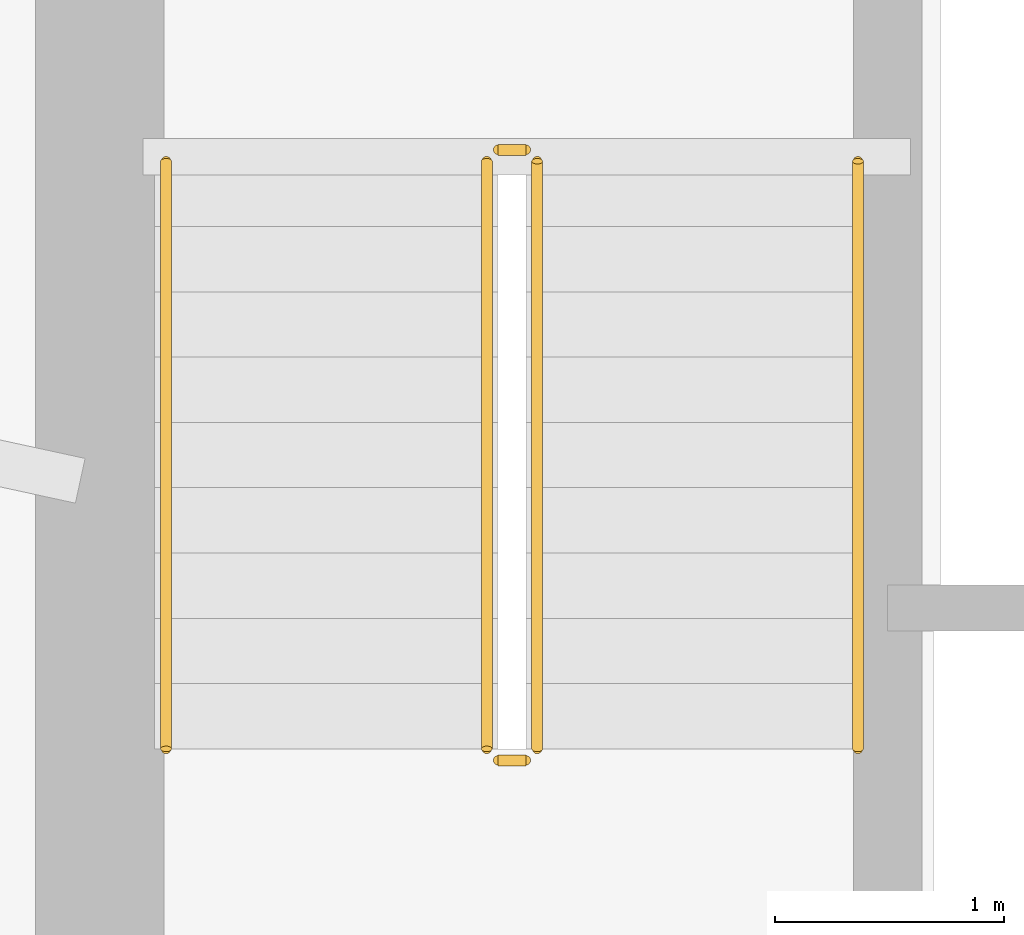
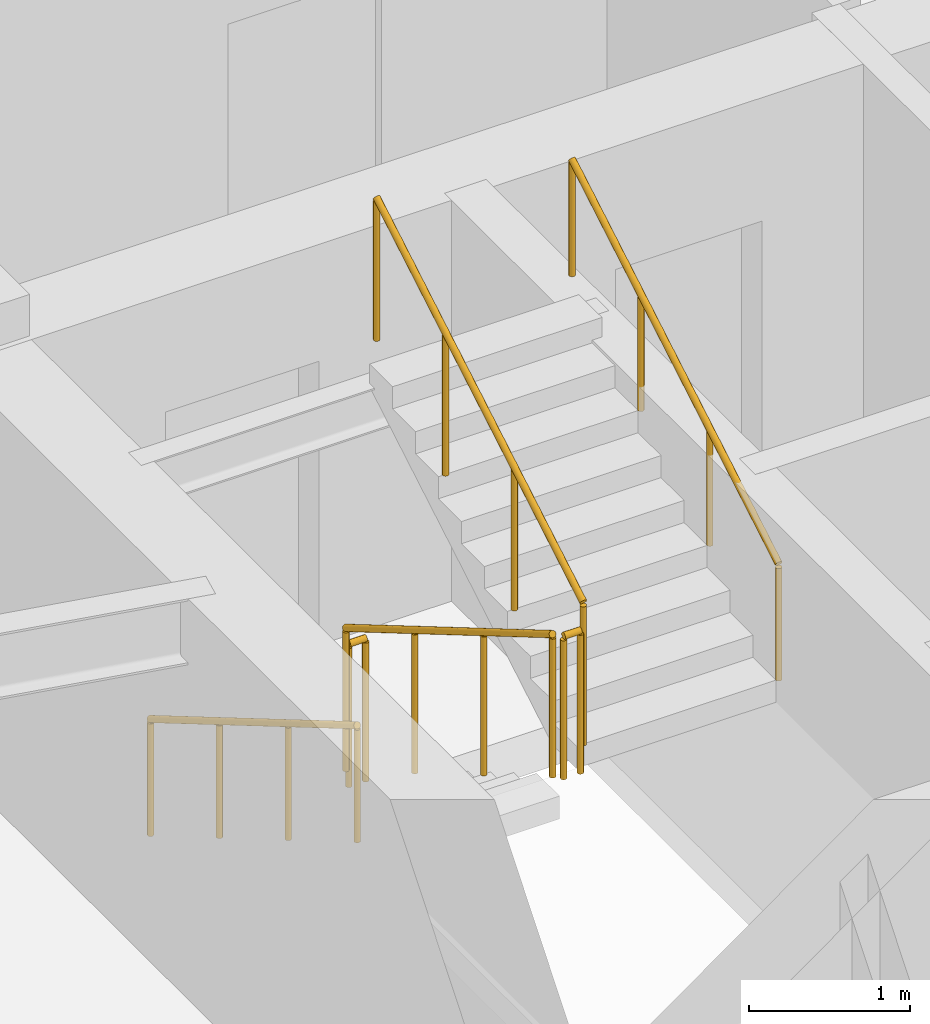
# One storey, part 20 of 21: 6 railings.
"""IFC4 building model written with IfcOpenShell, lengths in metres."""

from ifc_helpers import new_model, si_unit, direction, frame, origin, origin_2d, place, context, subcontext, project, spatial, circle, extrude, material, type_object, element, save


model = new_model("IFC4")

# Units and contexts
model_context = context("Model", 3, precision=1e-05, world=origin(), true_north=direction((0.0, 1.0)))
body_context = subcontext(model_context, "Body", "Model", "MODEL_VIEW")
ifc_project = project(units=[si_unit("LENGTHUNIT", "METRE"), si_unit("AREAUNIT", "SQUARE_METRE"), si_unit("VOLUMEUNIT", "CUBIC_METRE"), si_unit("PLANEANGLEUNIT", "RADIAN"), si_unit("MASSUNIT", "GRAM", prefix="KILO")], contexts=[model_context])

# Site, building, storey
site_placement = place(None, origin())
site = spatial("IfcSite", under=ifc_project, at=site_placement, CompositionType="ELEMENT")
building_placement = place(site_placement, origin())
building = spatial("IfcBuilding", under=site, at=building_placement, Name="Qobustan Lattice House", CompositionType="ELEMENT")
storey_placement = place(building_placement, frame((0.0, 0.0, 40.39990234375)))
storey = spatial("IfcBuildingStorey", under=building, at=storey_placement, Name="L10", CompositionType="ELEMENT", Elevation=40.39990234375)

# Railings
ifc_material_1 = material(Name="Brushed stainless steel handrail", Category="steel")
railing_type_1 = type_object("IfcRailingType", Name="RAL-HR-920", PredefinedType="HANDRAIL", material=ifc_material_1)
railing_1_placement = place(storey_placement, frame((-18.199951171875, 3.5, 0.16748046875)))
element("IfcRailing", 1, at=railing_1_placement, inside=storey, type_object=railing_type_1, Name="L10 ST-W1 stair handrail 1", PredefinedType="HANDRAIL", context=body_context, shape_type="SweptSolid", body=[
    extrude(circle(Radius=0.02392578125, at=origin_2d()), frame((0.0, 0.0, 0.8759765625), z_axis=(0.0, -0.862113467892, 0.50671527358), x_axis=(1.0, 0.0, 0.0)), (0.0, 0.0, 1.0), 2.97509765625),
    extrude(circle(Radius=0.02099609375, at=origin_2d()), origin(), (0.0, 0.0, 1.0), 0.851806640625),
    extrude(circle(Radius=0.02099609375, at=origin_2d()), frame((0.0, -0.85498046875, 0.50244140625)), (0.0, 0.0, 1.0), 0.851806640625),
    extrude(circle(Radius=0.02099609375, at=origin_2d()), frame((0.0, -1.7099609375, 1.005126953125)), (0.0, 0.0, 1.0), 0.851806640625),
    extrude(circle(Radius=0.02099609375, at=origin_2d()), frame((0.0, -2.56494140625, 1.507568359375)), (0.0, 0.0, 1.0), 0.851806640625),
])
railing_2_placement = place(storey_placement, frame((-15.179931640625, 0.93505859375, 1.842529296875)))
element("IfcRailing", 2, at=railing_2_placement, inside=storey, type_object=railing_type_1, Name="L10 ST-W1 stair handrail 2", PredefinedType="HANDRAIL", context=body_context, shape_type="SweptSolid", body=[
    extrude(circle(Radius=0.02392578125, at=origin_2d()), frame((0.0, 0.0, 0.8759765625), z_axis=(0.0, 0.862113467892, 0.50671527358), x_axis=(-1.0, 0.0, 0.0)), (0.0, 0.0, 1.0), 2.97509765625),
    extrude(circle(Radius=0.02099609375, at=origin_2d()), origin(), (0.0, 0.0, 1.0), 0.851806640625),
    extrude(circle(Radius=0.02099609375, at=origin_2d()), frame((0.0, 0.85498046875, 0.50244140625)), (0.0, 0.0, 1.0), 0.851806640625),
    extrude(circle(Radius=0.02099609375, at=origin_2d()), frame((0.0, 1.7099609375, 1.005126953125)), (0.0, 0.0, 1.0), 0.851806640625),
    extrude(circle(Radius=0.02099609375, at=origin_2d()), frame((0.0, 2.56494140625, 1.507568359375)), (0.0, 0.0, 1.0), 0.851806640625),
])
ifc_material_2 = material(Name="Painted galvanized steel guardrail", Category="steel")
railing_type_2 = type_object("IfcRailingType", Name="RAL-STG-1150", PredefinedType="GUARDRAIL", material=ifc_material_2)
railing_3_placement = place(storey_placement, frame((-16.800048828125, 3.5, 0.16748046875)))
element("IfcRailing", 3, at=railing_3_placement, inside=storey, type_object=railing_type_2, Name="L10 ST-W1 stair guard 1", PredefinedType="GUARDRAIL", context=body_context, shape_type="SweptSolid", body=[
    extrude(circle(Radius=0.02392578125, at=origin_2d()), frame((0.0, 0.0, 1.076171875), z_axis=(0.0, -0.862113467892, 0.50671527358), x_axis=(1.0, 0.0, 0.0)), (0.0, 0.0, 1.0), 2.97509765625),
    extrude(circle(Radius=0.02099609375, at=origin_2d()), origin(), (0.0, 0.0, 1.0), 1.052001953125),
    extrude(circle(Radius=0.02099609375, at=origin_2d()), frame((0.0, -0.85498046875, 0.50244140625)), (0.0, 0.0, 1.0), 1.052001953125),
    extrude(circle(Radius=0.02099609375, at=origin_2d()), frame((0.0, -1.7099609375, 1.005126953125)), (0.0, 0.0, 1.0), 1.052001953125),
    extrude(circle(Radius=0.02099609375, at=origin_2d()), frame((0.0, -2.56494140625, 1.507568359375)), (0.0, 0.0, 1.0), 1.052001953125),
])
railing_4_placement = place(storey_placement, frame((-16.75, 0.885009765625, 1.675048828125)))
element("IfcRailing", 4, at=railing_4_placement, inside=storey, type_object=railing_type_2, Name="L10 ST-W1 stair guard 2", PredefinedType="GUARDRAIL", context=body_context, shape_type="SweptSolid", body=[
    extrude(circle(Radius=0.02392578125, at=origin_2d()), frame((0.0, 0.0, 1.076171875), z_axis=(1.0, 0.0, 0.0), x_axis=(0.0, 1.0, 0.0)), (0.0, 0.0, 1.0), 0.1201171875),
    extrude(circle(Radius=0.02099609375, at=origin_2d()), origin(), (0.0, 0.0, 1.0), 1.052001953125),
    extrude(circle(Radius=0.02099609375, at=origin_2d()), frame((0.1201171875, 0.0, 0.0)), (0.0, 0.0, 1.0), 1.052001953125),
])
railing_5_placement = place(storey_placement, frame((-16.580078125, 0.93505859375, 1.842529296875)))
element("IfcRailing", 5, at=railing_5_placement, inside=storey, type_object=railing_type_2, Name="L10 ST-W1 stair guard 3", PredefinedType="GUARDRAIL", context=body_context, shape_type="SweptSolid", body=[
    extrude(circle(Radius=0.02392578125, at=origin_2d()), frame((0.0, 0.0, 1.076171875), z_axis=(0.0, 0.862113467892, 0.50671527358), x_axis=(-1.0, 0.0, 0.0)), (0.0, 0.0, 1.0), 2.97509765625),
    extrude(circle(Radius=0.02099609375, at=origin_2d()), origin(), (0.0, 0.0, 1.0), 1.052001953125),
    extrude(circle(Radius=0.02099609375, at=origin_2d()), frame((0.0, 0.85498046875, 0.50244140625)), (0.0, 0.0, 1.0), 1.052001953125),
    extrude(circle(Radius=0.02099609375, at=origin_2d()), frame((0.0, 1.7099609375, 1.005126953125)), (0.0, 0.0, 1.0), 1.052001953125),
    extrude(circle(Radius=0.02099609375, at=origin_2d()), frame((0.0, 2.56494140625, 1.507568359375)), (0.0, 0.0, 1.0), 1.052001953125),
])
railing_6_placement = place(storey_placement, frame((-16.75, 3.550048828125, 0.0)))
element("IfcRailing", 6, at=railing_6_placement, inside=storey, type_object=railing_type_2, Name="L10 ST-W1 stair guard 4", PredefinedType="GUARDRAIL", context=body_context, shape_type="SweptSolid", body=[
    extrude(circle(Radius=0.02392578125, at=origin_2d()), frame((0.0, 0.0, 1.076171875), z_axis=(1.0, 0.0, 0.0), x_axis=(0.0, 1.0, 0.0)), (0.0, 0.0, 1.0), 0.1201171875),
    extrude(circle(Radius=0.02099609375, at=origin_2d()), origin(), (0.0, 0.0, 1.0), 1.052001953125),
    extrude(circle(Radius=0.02099609375, at=origin_2d()), frame((0.1201171875, 0.0, 0.0)), (0.0, 0.0, 1.0), 1.052001953125),
])

save(model, "model.ifc")
